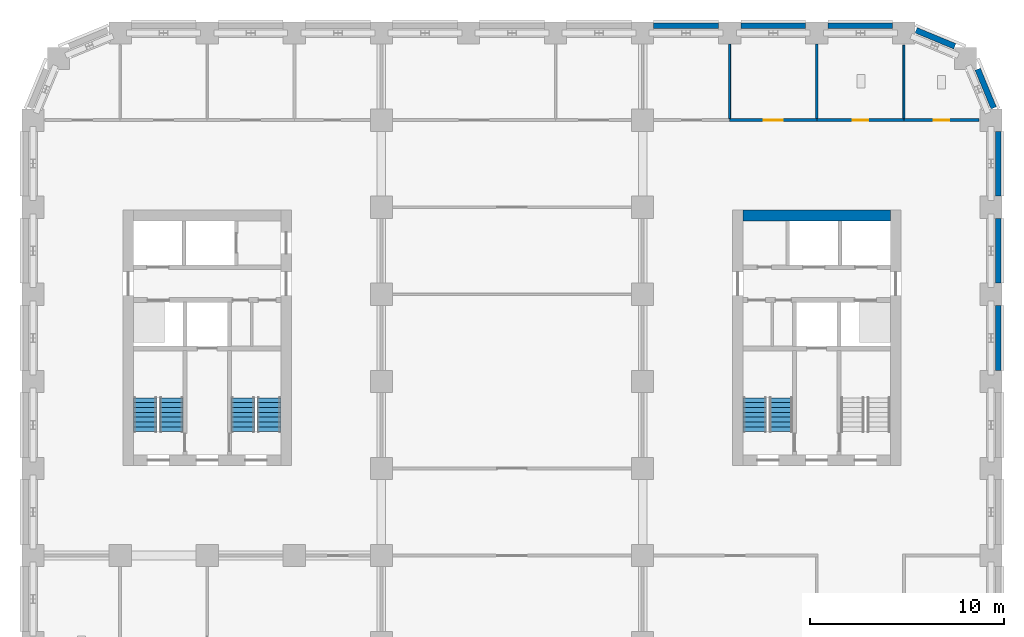
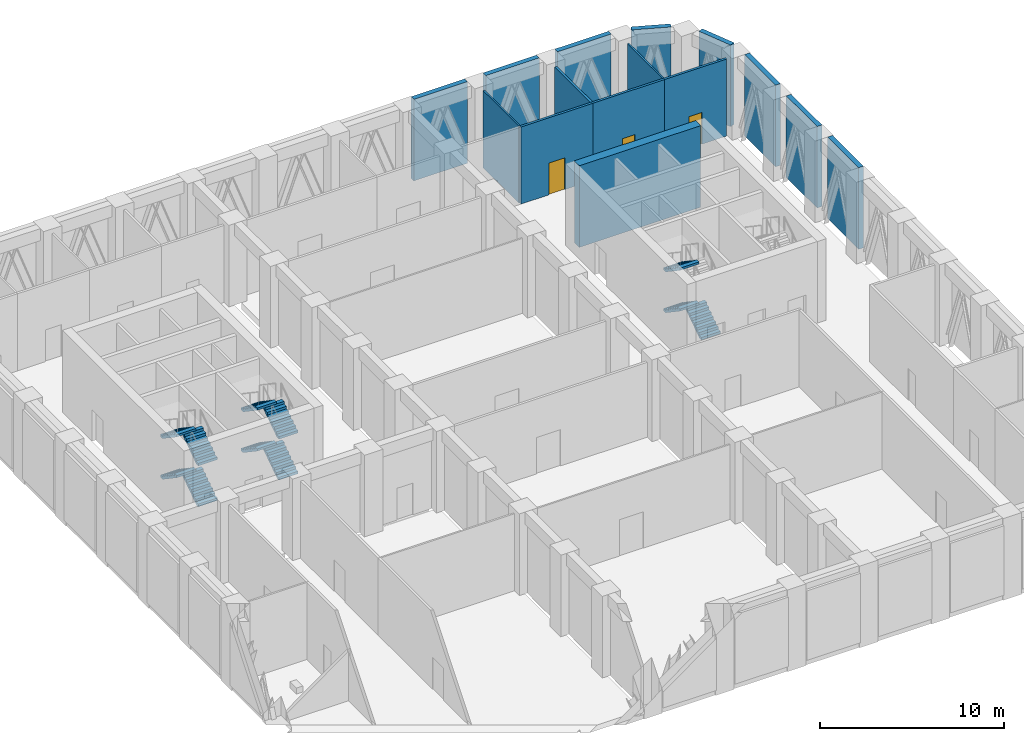
# One storey, part 6 of 11: 15 walls, 11 stair flights, 3 doors, 3 openings, 3 elements without a shape of their own.
"""IFC4 building model written with IfcOpenShell, lengths in metres."""

from ifc_helpers import new_model, si_unit, direction, frame, frame_2d, origin, place, context, subcontext, project, spatial, polyline, rectangle, outline, extrude, material, layer, layer_set, type_object, element, fill, aggregate, save


model = new_model("IFC4")

# Units and contexts
model_context = context("Model", 3, precision=1e-05, world=origin(), true_north=direction((0.0, 1.0)))
body_context = subcontext(model_context, "Body", "Model", "MODEL_VIEW")
ifc_project = project(units=[si_unit("LENGTHUNIT", "METRE"), si_unit("AREAUNIT", "SQUARE_METRE"), si_unit("VOLUMEUNIT", "CUBIC_METRE"), si_unit("PLANEANGLEUNIT", "RADIAN"), si_unit("MASSUNIT", "GRAM", prefix="KILO")], contexts=[model_context])

# Site, building, storey
site_placement = place(None, origin())
site = spatial("IfcSite", under=ifc_project, at=site_placement, CompositionType="ELEMENT")
building_placement = place(site_placement, origin())
building = spatial("IfcBuilding", under=site, at=building_placement, Name="Girih Gate Residences", CompositionType="ELEMENT")
storey_placement = place(building_placement, frame((0.0, 0.0, 124.800048828125)))
storey = spatial("IfcBuildingStorey", under=building, at=storey_placement, Name="L35", CompositionType="ELEMENT", Elevation=124.800048828125)

# Wall, opening, door
ifc_material_1 = material(Name="Gypsum board on steel studs", Category="steel")
ifc_layer_1 = layer(ifc_material_1, 0.14990234375)
ifc_layer_set_1 = layer_set([ifc_layer_1], Name="Compartment wall 150 mm")
wall_type_1 = type_object("IfcWallType", Name="Compartment wall 150 mm", PredefinedType="PARTITIONING", material=ifc_layer_set_1)
wall_1_placement = place(storey_placement, frame((45.0, 45.0, 0.0), z_axis=(0.0, 0.0, 1.0), x_axis=(1.0, 0.0, 0.0)))
wall_1 = element("IfcWall", 1, at=wall_1_placement, inside=storey, type_object=wall_type_1, Name="L35 partition", PredefinedType="PARTITIONING", context=body_context, shape_type="SweptSolid", body=[
    extrude(rectangle(XDim=3.877685546875, YDim=0.14990234375, at=frame_2d((1.93896484375, 0.0))), origin(), (0.0, 0.0, 1.0), 5.099853515625),
])
opening_1_placement = place(wall_1_placement, frame((1.538818359375, 0.0, 0.0)))
opening_1 = element("IfcOpeningElement", 2, at=opening_1_placement, cuts=wall_1, Name="Opening D-L35-S-008", PredefinedType="OPENING", context=body_context, shape_type="SweptSolid", body=[
    extrude(rectangle(XDim=0.800048828125, YDim=2.10009765625, at=frame_2d((0.39990234375, 1.050048828125))), frame((0.0, 0.0849609375, 0.0), z_axis=(0.0, -1.0, 0.0), x_axis=(1.0, 0.0, 0.0)), (0.0, 0.0, 1.0), 0.169921875),
])
ifc_material_2 = material(Name="Timber", Category="wood")
door_type_1 = type_object("IfcDoorType", Name="WC and store door 800x2100", OperationType="SINGLE_SWING_LEFT", PredefinedType="DOOR", material=ifc_material_2)
door_1_placement = place(opening_1_placement, origin())
door_1 = element("IfcDoor", 3, at=door_1_placement, inside=storey, type_object=door_type_1, Name="Door L35-008", OperationType="SINGLE_SWING_RIGHT", OverallHeight=2.10009765625, OverallWidth=0.800048828125, PredefinedType="DOOR", context=body_context, shape_type="SweptSolid", body=[
    extrude(rectangle(XDim=0.800048828125, YDim=2.10009765625, at=frame_2d((0.39990234375, 1.050048828125))), frame((0.0, 0.02490234375, 0.0), z_axis=(0.0, -1.0, 0.0), x_axis=(1.0, 0.0, 0.0)), (0.0, 0.0, 1.0), 0.050048828125),
])
fill(opening_1, door_1)

# Wall
wall_2_placement = place(storey_placement, frame((40.5, 45.074951171875, 0.0), z_axis=(0.0, 0.0, 1.0), x_axis=(0.0, 1.0, 0.0)))
element("IfcWall", 4, at=wall_2_placement, inside=storey, type_object=wall_type_1, Name="L35 partition", PredefinedType="PARTITIONING", context=body_context, shape_type="SweptSolid", body=[
    extrude(rectangle(XDim=3.85009765625, YDim=0.14990234375, at=frame_2d((1.925048828125, 0.0))), origin(), (0.0, 0.0, 1.0), 5.099853515625),
])

# Wall, opening, door
wall_3_placement = place(storey_placement, frame((40.5, 45.0, 0.0), z_axis=(0.0, 0.0, 1.0), x_axis=(1.0, 0.0, 0.0)))
wall_3 = element("IfcWall", 5, at=wall_3_placement, inside=storey, type_object=wall_type_1, Name="L35 partition", PredefinedType="PARTITIONING", context=body_context, shape_type="SweptSolid", body=[
    extrude(rectangle(XDim=4.5, YDim=0.14990234375, at=frame_2d((2.25, 0.0))), origin(), (0.0, 0.0, 1.0), 5.099853515625),
])
opening_2_placement = place(wall_3_placement, frame((1.85009765625, 0.0, 0.0)))
opening_2 = element("IfcOpeningElement", 6, at=opening_2_placement, cuts=wall_3, Name="Opening D-L35-S-009", PredefinedType="OPENING", context=body_context, shape_type="SweptSolid", body=[
    extrude(rectangle(XDim=0.800048828125, YDim=2.10009765625, at=frame_2d((0.39990234375, 1.050048828125))), frame((0.0, 0.0849609375, 0.0), z_axis=(0.0, -1.0, 0.0), x_axis=(1.0, 0.0, 0.0)), (0.0, 0.0, 1.0), 0.169921875),
])
door_2_placement = place(opening_2_placement, origin())
door_2 = element("IfcDoor", 7, at=door_2_placement, inside=storey, type_object=door_type_1, Name="Door L35-009", OperationType="SINGLE_SWING_RIGHT", OverallHeight=2.10009765625, OverallWidth=0.800048828125, PredefinedType="DOOR", context=body_context, shape_type="SweptSolid", body=[
    extrude(rectangle(XDim=0.800048828125, YDim=2.10009765625, at=frame_2d((0.39990234375, 1.050048828125))), frame((0.0, 0.02490234375, 0.0), z_axis=(0.0, -1.0, 0.0), x_axis=(1.0, 0.0, 0.0)), (0.0, 0.0, 1.0), 0.050048828125),
])
fill(opening_2, door_2)

wall_4_placement = place(storey_placement, frame((36.0, 45.0, 0.0), z_axis=(0.0, 0.0, 1.0), x_axis=(1.0, 0.0, 0.0)))
wall_4 = element("IfcWall", 8, at=wall_4_placement, inside=storey, type_object=wall_type_1, Name="L35 partition", PredefinedType="PARTITIONING", context=body_context, shape_type="SweptSolid", body=[
    extrude(rectangle(XDim=4.5, YDim=0.14990234375, at=frame_2d((2.25, 0.0))), origin(), (0.0, 0.0, 1.0), 5.099853515625),
])
opening_3_placement = place(wall_4_placement, frame((1.75, 0.0, 0.0)))
opening_3 = element("IfcOpeningElement", 9, at=opening_3_placement, cuts=wall_4, Name="Opening D-L35-S-010", PredefinedType="OPENING", context=body_context, shape_type="SweptSolid", body=[
    extrude(rectangle(XDim=1.0, YDim=2.10009765625, at=frame_2d((0.5, 1.050048828125))), frame((0.0, 0.0849609375, 0.0), z_axis=(0.0, -1.0, 0.0), x_axis=(1.0, 0.0, 0.0)), (0.0, 0.0, 1.0), 0.169921875),
])
ifc_material_3 = material(Name="Painted steel, fire-resisting", Category="steel")
door_type_2 = type_object("IfcDoorType", Name="Plant room door 1000x2100 FD60", OperationType="SINGLE_SWING_LEFT", PredefinedType="DOOR", material=ifc_material_3)
door_3_placement = place(opening_3_placement, origin())
door_3 = element("IfcDoor", 10, at=door_3_placement, inside=storey, type_object=door_type_2, Name="Door L35-010", OperationType="SINGLE_SWING_RIGHT", OverallHeight=2.10009765625, OverallWidth=1.0, PredefinedType="DOOR", context=body_context, shape_type="SweptSolid", body=[
    extrude(rectangle(XDim=1.0, YDim=2.10009765625, at=frame_2d((0.5, 1.050048828125))), frame((0.0, 0.02490234375, 0.0), z_axis=(0.0, -1.0, 0.0), x_axis=(1.0, 0.0, 0.0)), (0.0, 0.0, 1.0), 0.050048828125),
])
fill(opening_3, door_3)

# Walls
ifc_material_4 = material(Name="Concrete C60/75", Category="concrete")
ifc_layer_2 = layer(ifc_material_4, 0.550048828125)
ifc_layer_set_2 = layer_set([ifc_layer_2], Name="Core wall RC 550 Concrete C60/75")
wall_type_2 = type_object("IfcWallType", Name="Core wall RC 550 Concrete C60/75", PredefinedType="SOLIDWALL", material=ifc_layer_set_2)
wall_5_placement = place(storey_placement, frame((36.699951171875, 40.074951171875, 0.0), z_axis=(0.0, 0.0, 1.0), x_axis=(1.0, 0.0, 0.0)))
element("IfcWall", 11, at=wall_5_placement, inside=storey, type_object=wall_type_2, Name="Core wall E-N L35", PredefinedType="SOLIDWALL", context=body_context, shape_type="SweptSolid", body=[
    extrude(rectangle(XDim=7.60009765625, YDim=0.550048828125, at=frame_2d((3.800048828125, 0.0))), origin(), (0.0, 0.0, 1.0), 5.39990234375),
])
ifc_layer_3 = layer(ifc_material_1, 0.10009765625)
ifc_layer_set_3 = layer_set([ifc_layer_3], Name="Partition 100 mm")
wall_type_3 = type_object("IfcWallType", Name="Partition 100 mm", PredefinedType="PARTITIONING", material=ifc_layer_set_3)
wall_6_placement = place(storey_placement, frame((45.0, 45.074951171875, 0.0), z_axis=(0.0, 0.0, 1.0), x_axis=(0.0, 1.0, 0.0)))
element("IfcWall", 12, at=wall_6_placement, inside=storey, type_object=wall_type_3, Name="L35 partition", PredefinedType="PARTITIONING", context=body_context, shape_type="SweptSolid", body=[
    extrude(rectangle(XDim=3.802734375, YDim=0.10009765625, at=frame_2d((1.9013671875, 0.0))), origin(), (0.0, 0.0, 1.0), 5.099853515625),
])
wall_7_placement = place(storey_placement, frame((36.0, 45.074951171875, 0.0), z_axis=(0.0, 0.0, 1.0), x_axis=(0.0, 1.0, 0.0)))
element("IfcWall", 13, at=wall_7_placement, inside=storey, type_object=wall_type_3, Name="L35 partition", PredefinedType="PARTITIONING", context=body_context, shape_type="SweptSolid", body=[
    extrude(rectangle(XDim=3.85009765625, YDim=0.10009765625, at=frame_2d((1.925048828125, 0.0))), origin(), (0.0, 0.0, 1.0), 5.099853515625),
])
ifc_material_5 = material(Name="Precast concrete C50/60", Category="concrete")
ifc_layer_4 = layer(ifc_material_5, 0.080078125, Name="Outer leaf")
ifc_material_6 = material(Name="Rigid PIR insulation")
ifc_layer_5 = layer(ifc_material_6, 0.14990234375, Name="Insulation")
ifc_material_7 = material(Name="Precast concrete C40/50", Category="concrete")
ifc_layer_6 = layer(ifc_material_7, 0.070068359375, Name="Inner leaf")
ifc_layer_set_4 = layer_set([ifc_layer_4, ifc_layer_5, ifc_layer_6], Name="Precast concrete C50/60 external wall 300")
wall_type_4 = type_object("IfcWallType", Name="Precast concrete C50/60 external wall 300", PredefinedType="SOLIDWALL", material=ifc_layer_set_4)
for number, where, z_axis, x_axis, name in (
    (14, (49.875, 35.425048828125, 0.0), (0.0, 0.0, 1.0), (0.0, -1.0, 0.0), "External wall E0495_0045.6"),
    (15, (49.875, 39.925048828125, 0.0), (0.0, 0.0, 1.0), (0.0, -1.0, 0.0), "External wall E0495_0045.7"),
    (16, (49.875, 44.425048828125, 0.0), (0.0, 0.0, 1.0), (0.0, -1.0, 0.0), "External wall E0495_0045.8"),
):
    element("IfcWall", number, at=place(storey_placement, frame(where, z_axis=z_axis, x_axis=x_axis)), inside=storey, type_object=wall_type_4, Name=name, PredefinedType="SOLIDWALL", context=body_context, shape_type="SweptSolid", body=[
        extrude(rectangle(XDim=3.35009765625, YDim=0.300048828125, at=frame_2d((1.675048828125, 0.0))), origin(), (0.0, 0.0, 1.0), 5.39990234375),
    ])
for number, where, z_axis, x_axis, name in (
    (17, (48.81591796875, 47.63134765625, 0.0), (0.0, 0.0, 1.0), (0.382723818695, -0.923862802911, 0.0), "External wall NE0495_0450.0"),
    (18, (45.63232421875, 49.64404296875, 0.0), (0.0, 0.0, 1.0), (0.923862802911, -0.382723818695, 0.0), "External wall NE0482_0482.0"),
):
    element("IfcWall", number, at=place(storey_placement, frame(where, z_axis=z_axis, x_axis=x_axis)), inside=storey, type_object=wall_type_4, Name=name, PredefinedType="SOLIDWALL", context=body_context, shape_type="SweptSolid", body=[
        extrude(rectangle(XDim=2.163818359375, YDim=0.300048828125, at=frame_2d((1.08203125, 0.0))), origin(), (0.0, 0.0, 1.0), 5.39990234375),
    ])
for number, where, z_axis, x_axis, name in (
    (19, (41.074951171875, 49.875, 0.0), (0.0, 0.0, 1.0), (1.0, 0.0, 0.0), "External wall N0450_0495.0"),
    (20, (36.574951171875, 49.875, 0.0), (0.0, 0.0, 1.0), (1.0, 0.0, 0.0), "External wall N0450_0495.1"),
    (21, (32.074951171875, 49.875, 0.0), (0.0, 0.0, 1.0), (1.0, 0.0, 0.0), "External wall N0450_0495.2"),
):
    element("IfcWall", number, at=place(storey_placement, frame(where, z_axis=z_axis, x_axis=x_axis)), inside=storey, type_object=wall_type_4, Name=name, PredefinedType="SOLIDWALL", context=body_context, shape_type="SweptSolid", body=[
        extrude(rectangle(XDim=3.35009765625, YDim=0.300048828125, at=frame_2d((1.675048828125, 0.0))), origin(), (0.0, 0.0, 1.0), 5.39990234375),
    ])

# Stair, stair flights
ifc_material_8 = material(Name="Concrete C40/50", Category="concrete")
stair_type = type_object("IfcStairType", Name="Exit stair", PredefinedType="HALF_TURN_STAIR", material=ifc_material_8)
stair_1_placement = place(storey_placement, origin())
stair_1 = element("IfcStair", 22, at=stair_1_placement, inside=storey, type_object=stair_type, Name="L35 Exit Stair ST-W1", PredefinedType="HALF_TURN_STAIR")
stair_flight_type = type_object("IfcStairFlightType", Name="Stair flight 1200", PredefinedType="STRAIGHT", material=ifc_material_8)
stair_flight_1_placement = place(storey_placement, frame((7.14990234375, 28.89990234375, 0.0), z_axis=(0.0, 0.0, 1.0), x_axis=(0.0, 1.0, 0.0)))
stair_flight_1 = element("IfcStairFlight", 23, at=stair_flight_1_placement, type_object=stair_flight_type, Name="ST-W1 flight 1", NumberOfRisers=8, NumberOfTreads=7, PredefinedType="STRAIGHT", RiserHeight=0.16875, TreadLength=0.25, context=body_context, shape_type="SweptSolid", body=[
    extrude(outline(polyline([(0.0, 0.0), (0.0, 0.011962890625), (0.0, 0.024169921875), (0.0, 0.0361328125), (0.0, 0.048095703125), (0.0, 0.060302734375), (0.0, 0.072265625), (0.0, 0.08447265625), (0.0, 0.096435546875), (0.0, 0.1083984375), (0.0, 0.12060546875), (0.0, 0.132568359375), (0.0, 0.14453125), (0.0, 0.15673828125), (0.0, 0.168701171875), (0.25, 0.168701171875), (0.25, 0.33740234375), (0.5, 0.33740234375), (0.5, 0.50634765625), (0.75, 0.50634765625), (0.75, 0.675048828125), (1.0, 0.675048828125), (1.0, 0.84375), (1.25, 0.84375), (1.25, 1.012451171875), (1.5, 1.012451171875), (1.5, 1.18115234375), (1.75, 1.18115234375), (1.75, 1.193359375), (1.75, 1.205322265625), (1.75, 1.217529296875), (1.75, 1.2294921875), (1.75, 1.241455078125), (1.75, 1.253662109375), (1.75, 1.265625), (1.75, 1.277587890625), (1.75, 1.289794921875), (1.75, 1.3017578125), (1.75, 1.313720703125), (1.75, 1.325927734375), (1.75, 1.337890625), (1.75, 1.35009765625), (1.75, 1.32763671875), (1.75, 1.30517578125), (1.75, 1.28271484375), (1.75, 1.260498046875), (1.75, 1.238037109375), (1.75, 1.215576171875), (1.75, 1.193115234375), (1.75, 1.170654296875), (1.75, 1.1484375), (1.75, 1.1259765625), (1.75, 1.103515625), (1.75, 1.0810546875), (1.75, 1.058837890625), (1.75, 1.036376953125), (0.214599609375, 0.0), (0.0, 0.0)])), frame((0.0, 0.60009765625, 0.0), z_axis=(0.0, -1.0, 0.0), x_axis=(1.0, 0.0, 0.0)), (0.0, 0.0, 1.0), 1.199951171875),
])
stair_flight_2_placement = place(storey_placement, frame((5.800048828125, 30.64990234375, 1.349853515625), z_axis=(0.0, 0.0, 1.0), x_axis=(0.0, -1.0, 0.0)))
stair_flight_2 = element("IfcStairFlight", 24, at=stair_flight_2_placement, type_object=stair_flight_type, Name="ST-W1 flight 2", NumberOfRisers=8, NumberOfTreads=7, PredefinedType="STRAIGHT", RiserHeight=0.16875, TreadLength=0.25, context=body_context, shape_type="SweptSolid", body=[
    extrude(outline(polyline([(0.0, 0.0), (0.0, 0.011962890625), (0.0, 0.024169921875), (0.0, 0.0361328125), (0.0, 0.048095703125), (0.0, 0.060302734375), (0.0, 0.072265625), (0.0, 0.08447265625), (0.0, 0.096435546875), (0.0, 0.1083984375), (0.0, 0.12060546875), (0.0, 0.132568359375), (0.0, 0.14453125), (0.0, 0.15673828125), (0.0, 0.168701171875), (0.25, 0.168701171875), (0.25, 0.33740234375), (0.5, 0.33740234375), (0.5, 0.50634765625), (0.75, 0.50634765625), (0.75, 0.675048828125), (1.0, 0.675048828125), (1.0, 0.84375), (1.25, 0.84375), (1.25, 1.012451171875), (1.5, 1.012451171875), (1.5, 1.18115234375), (1.75, 1.18115234375), (1.75, 1.193359375), (1.75, 1.205322265625), (1.75, 1.217529296875), (1.75, 1.2294921875), (1.75, 1.241455078125), (1.75, 1.253662109375), (1.75, 1.265625), (1.75, 1.277587890625), (1.75, 1.289794921875), (1.75, 1.3017578125), (1.75, 1.313720703125), (1.75, 1.325927734375), (1.75, 1.337890625), (1.75, 1.35009765625), (1.75, 1.32763671875), (1.75, 1.30517578125), (1.75, 1.28271484375), (1.75, 1.260498046875), (1.75, 1.238037109375), (1.75, 1.215576171875), (1.75, 1.193115234375), (1.75, 1.170654296875), (1.75, 1.1484375), (1.75, 1.1259765625), (1.75, 1.103515625), (1.75, 1.0810546875), (1.75, 1.058837890625), (1.75, 1.036376953125), (0.214599609375, 0.0), (0.0, 0.0)])), frame((0.0, 0.60009765625, 0.0), z_axis=(0.0, -1.0, 0.0), x_axis=(1.0, 0.0, 0.0)), (0.0, 0.0, 1.0), 1.199951171875),
])
stair_flight_3_placement = place(storey_placement, frame((7.14990234375, 28.89990234375, 2.699951171875), z_axis=(0.0, 0.0, 1.0), x_axis=(0.0, 1.0, 0.0)))
stair_flight_3 = element("IfcStairFlight", 25, at=stair_flight_3_placement, type_object=stair_flight_type, Name="ST-W1 flight 3", NumberOfRisers=8, NumberOfTreads=7, PredefinedType="STRAIGHT", RiserHeight=0.16875, TreadLength=0.25, context=body_context, shape_type="SweptSolid", body=[
    extrude(outline(polyline([(0.0, 0.0), (0.0, 0.011962890625), (0.0, 0.024169921875), (0.0, 0.0361328125), (0.0, 0.048095703125), (0.0, 0.060302734375), (0.0, 0.072265625), (0.0, 0.08447265625), (0.0, 0.096435546875), (0.0, 0.1083984375), (0.0, 0.12060546875), (0.0, 0.132568359375), (0.0, 0.14453125), (0.0, 0.15673828125), (0.0, 0.168701171875), (0.25, 0.168701171875), (0.25, 0.33740234375), (0.5, 0.33740234375), (0.5, 0.50634765625), (0.75, 0.50634765625), (0.75, 0.675048828125), (1.0, 0.675048828125), (1.0, 0.84375), (1.25, 0.84375), (1.25, 1.012451171875), (1.5, 1.012451171875), (1.5, 1.18115234375), (1.75, 1.18115234375), (1.75, 1.193359375), (1.75, 1.205322265625), (1.75, 1.217529296875), (1.75, 1.2294921875), (1.75, 1.241455078125), (1.75, 1.253662109375), (1.75, 1.265625), (1.75, 1.277587890625), (1.75, 1.289794921875), (1.75, 1.3017578125), (1.75, 1.313720703125), (1.75, 1.325927734375), (1.75, 1.337890625), (1.75, 1.35009765625), (1.75, 1.32763671875), (1.75, 1.30517578125), (1.75, 1.28271484375), (1.75, 1.260498046875), (1.75, 1.238037109375), (1.75, 1.215576171875), (1.75, 1.193115234375), (1.75, 1.170654296875), (1.75, 1.1484375), (1.75, 1.1259765625), (1.75, 1.103515625), (1.75, 1.0810546875), (1.75, 1.058837890625), (1.75, 1.036376953125), (0.214599609375, 0.0), (0.0, 0.0)])), frame((0.0, 0.60009765625, 0.0), z_axis=(0.0, -1.0, 0.0), x_axis=(1.0, 0.0, 0.0)), (0.0, 0.0, 1.0), 1.199951171875),
])
stair_flight_4_placement = place(storey_placement, frame((5.800048828125, 30.64990234375, 4.050048828125), z_axis=(0.0, 0.0, 1.0), x_axis=(0.0, -1.0, 0.0)))
stair_flight_4 = element("IfcStairFlight", 26, at=stair_flight_4_placement, type_object=stair_flight_type, Name="ST-W1 flight 4", NumberOfRisers=8, NumberOfTreads=7, PredefinedType="STRAIGHT", RiserHeight=0.16875, TreadLength=0.25, context=body_context, shape_type="SweptSolid", body=[
    extrude(outline(polyline([(0.0, 0.0), (0.0, 0.011962890625), (0.0, 0.024169921875), (0.0, 0.0361328125), (0.0, 0.048095703125), (0.0, 0.060302734375), (0.0, 0.072265625), (0.0, 0.08447265625), (0.0, 0.096435546875), (0.0, 0.1083984375), (0.0, 0.12060546875), (0.0, 0.132568359375), (0.0, 0.14453125), (0.0, 0.15673828125), (0.0, 0.168701171875), (0.25, 0.168701171875), (0.25, 0.33740234375), (0.5, 0.33740234375), (0.5, 0.50634765625), (0.75, 0.50634765625), (0.75, 0.675048828125), (1.0, 0.675048828125), (1.0, 0.84375), (1.25, 0.84375), (1.25, 1.012451171875), (1.5, 1.012451171875), (1.5, 1.18115234375), (1.75, 1.18115234375), (1.75, 1.193359375), (1.75, 1.205322265625), (1.75, 1.217529296875), (1.75, 1.2294921875), (1.75, 1.241455078125), (1.75, 1.253662109375), (1.75, 1.265625), (1.75, 1.277587890625), (1.75, 1.289794921875), (1.75, 1.3017578125), (1.75, 1.313720703125), (1.75, 1.325927734375), (1.75, 1.337890625), (1.75, 1.35009765625), (1.75, 1.32763671875), (1.75, 1.30517578125), (1.75, 1.28271484375), (1.75, 1.260498046875), (1.75, 1.238037109375), (1.75, 1.215576171875), (1.75, 1.193115234375), (1.75, 1.170654296875), (1.75, 1.1484375), (1.75, 1.1259765625), (1.75, 1.103515625), (1.75, 1.0810546875), (1.75, 1.058837890625), (1.75, 1.036376953125), (0.214599609375, 0.0), (0.0, 0.0)])), frame((0.0, 0.60009765625, 0.0), z_axis=(0.0, -1.0, 0.0), x_axis=(1.0, 0.0, 0.0)), (0.0, 0.0, 1.0), 1.199951171875),
])
aggregate(stair_1, [stair_flight_1, stair_flight_2, stair_flight_3, stair_flight_4])

stair_2_placement = place(storey_placement, origin())
stair_2 = element("IfcStair", 27, at=stair_2_placement, inside=storey, type_object=stair_type, Name="L35 Exit Stair ST-W2", PredefinedType="HALF_TURN_STAIR")
stair_flight_5_placement = place(storey_placement, frame((12.199951171875, 28.89990234375, 0.0), z_axis=(0.0, 0.0, 1.0), x_axis=(0.0, 1.0, 0.0)))
stair_flight_5 = element("IfcStairFlight", 28, at=stair_flight_5_placement, type_object=stair_flight_type, Name="ST-W2 flight 1", NumberOfRisers=8, NumberOfTreads=7, PredefinedType="STRAIGHT", RiserHeight=0.16875, TreadLength=0.25, context=body_context, shape_type="SweptSolid", body=[
    extrude(outline(polyline([(0.0, 0.0), (0.0, 0.011962890625), (0.0, 0.024169921875), (0.0, 0.0361328125), (0.0, 0.048095703125), (0.0, 0.060302734375), (0.0, 0.072265625), (0.0, 0.08447265625), (0.0, 0.096435546875), (0.0, 0.1083984375), (0.0, 0.12060546875), (0.0, 0.132568359375), (0.0, 0.14453125), (0.0, 0.15673828125), (0.0, 0.168701171875), (0.25, 0.168701171875), (0.25, 0.33740234375), (0.5, 0.33740234375), (0.5, 0.50634765625), (0.75, 0.50634765625), (0.75, 0.675048828125), (1.0, 0.675048828125), (1.0, 0.84375), (1.25, 0.84375), (1.25, 1.012451171875), (1.5, 1.012451171875), (1.5, 1.18115234375), (1.75, 1.18115234375), (1.75, 1.193359375), (1.75, 1.205322265625), (1.75, 1.217529296875), (1.75, 1.2294921875), (1.75, 1.241455078125), (1.75, 1.253662109375), (1.75, 1.265625), (1.75, 1.277587890625), (1.75, 1.289794921875), (1.75, 1.3017578125), (1.75, 1.313720703125), (1.75, 1.325927734375), (1.75, 1.337890625), (1.75, 1.35009765625), (1.75, 1.32763671875), (1.75, 1.30517578125), (1.75, 1.28271484375), (1.75, 1.260498046875), (1.75, 1.238037109375), (1.75, 1.215576171875), (1.75, 1.193115234375), (1.75, 1.170654296875), (1.75, 1.1484375), (1.75, 1.1259765625), (1.75, 1.103515625), (1.75, 1.0810546875), (1.75, 1.058837890625), (1.75, 1.036376953125), (0.214599609375, 0.0), (0.0, 0.0)])), frame((0.0, 0.60009765625, 0.0), z_axis=(0.0, -1.0, 0.0), x_axis=(1.0, 0.0, 0.0)), (0.0, 0.0, 1.0), 1.199951171875),
])
stair_flight_6_placement = place(storey_placement, frame((10.85009765625, 30.64990234375, 1.349853515625), z_axis=(0.0, 0.0, 1.0), x_axis=(0.0, -1.0, 0.0)))
stair_flight_6 = element("IfcStairFlight", 29, at=stair_flight_6_placement, type_object=stair_flight_type, Name="ST-W2 flight 2", NumberOfRisers=8, NumberOfTreads=7, PredefinedType="STRAIGHT", RiserHeight=0.16875, TreadLength=0.25, context=body_context, shape_type="SweptSolid", body=[
    extrude(outline(polyline([(0.0, 0.0), (0.0, 0.011962890625), (0.0, 0.024169921875), (0.0, 0.0361328125), (0.0, 0.048095703125), (0.0, 0.060302734375), (0.0, 0.072265625), (0.0, 0.08447265625), (0.0, 0.096435546875), (0.0, 0.1083984375), (0.0, 0.12060546875), (0.0, 0.132568359375), (0.0, 0.14453125), (0.0, 0.15673828125), (0.0, 0.168701171875), (0.25, 0.168701171875), (0.25, 0.33740234375), (0.5, 0.33740234375), (0.5, 0.50634765625), (0.75, 0.50634765625), (0.75, 0.675048828125), (1.0, 0.675048828125), (1.0, 0.84375), (1.25, 0.84375), (1.25, 1.012451171875), (1.5, 1.012451171875), (1.5, 1.18115234375), (1.75, 1.18115234375), (1.75, 1.193359375), (1.75, 1.205322265625), (1.75, 1.217529296875), (1.75, 1.2294921875), (1.75, 1.241455078125), (1.75, 1.253662109375), (1.75, 1.265625), (1.75, 1.277587890625), (1.75, 1.289794921875), (1.75, 1.3017578125), (1.75, 1.313720703125), (1.75, 1.325927734375), (1.75, 1.337890625), (1.75, 1.35009765625), (1.75, 1.32763671875), (1.75, 1.30517578125), (1.75, 1.28271484375), (1.75, 1.260498046875), (1.75, 1.238037109375), (1.75, 1.215576171875), (1.75, 1.193115234375), (1.75, 1.170654296875), (1.75, 1.1484375), (1.75, 1.1259765625), (1.75, 1.103515625), (1.75, 1.0810546875), (1.75, 1.058837890625), (1.75, 1.036376953125), (0.214599609375, 0.0), (0.0, 0.0)])), frame((0.0, 0.60009765625, 0.0), z_axis=(0.0, -1.0, 0.0), x_axis=(1.0, 0.0, 0.0)), (0.0, 0.0, 1.0), 1.199951171875),
])
stair_flight_7_placement = place(storey_placement, frame((12.199951171875, 28.89990234375, 2.699951171875), z_axis=(0.0, 0.0, 1.0), x_axis=(0.0, 1.0, 0.0)))
stair_flight_7 = element("IfcStairFlight", 30, at=stair_flight_7_placement, type_object=stair_flight_type, Name="ST-W2 flight 3", NumberOfRisers=8, NumberOfTreads=7, PredefinedType="STRAIGHT", RiserHeight=0.16875, TreadLength=0.25, context=body_context, shape_type="SweptSolid", body=[
    extrude(outline(polyline([(0.0, 0.0), (0.0, 0.011962890625), (0.0, 0.024169921875), (0.0, 0.0361328125), (0.0, 0.048095703125), (0.0, 0.060302734375), (0.0, 0.072265625), (0.0, 0.08447265625), (0.0, 0.096435546875), (0.0, 0.1083984375), (0.0, 0.12060546875), (0.0, 0.132568359375), (0.0, 0.14453125), (0.0, 0.15673828125), (0.0, 0.168701171875), (0.25, 0.168701171875), (0.25, 0.33740234375), (0.5, 0.33740234375), (0.5, 0.50634765625), (0.75, 0.50634765625), (0.75, 0.675048828125), (1.0, 0.675048828125), (1.0, 0.84375), (1.25, 0.84375), (1.25, 1.012451171875), (1.5, 1.012451171875), (1.5, 1.18115234375), (1.75, 1.18115234375), (1.75, 1.193359375), (1.75, 1.205322265625), (1.75, 1.217529296875), (1.75, 1.2294921875), (1.75, 1.241455078125), (1.75, 1.253662109375), (1.75, 1.265625), (1.75, 1.277587890625), (1.75, 1.289794921875), (1.75, 1.3017578125), (1.75, 1.313720703125), (1.75, 1.325927734375), (1.75, 1.337890625), (1.75, 1.35009765625), (1.75, 1.32763671875), (1.75, 1.30517578125), (1.75, 1.28271484375), (1.75, 1.260498046875), (1.75, 1.238037109375), (1.75, 1.215576171875), (1.75, 1.193115234375), (1.75, 1.170654296875), (1.75, 1.1484375), (1.75, 1.1259765625), (1.75, 1.103515625), (1.75, 1.0810546875), (1.75, 1.058837890625), (1.75, 1.036376953125), (0.214599609375, 0.0), (0.0, 0.0)])), frame((0.0, 0.60009765625, 0.0), z_axis=(0.0, -1.0, 0.0), x_axis=(1.0, 0.0, 0.0)), (0.0, 0.0, 1.0), 1.199951171875),
])
stair_flight_8_placement = place(storey_placement, frame((10.85009765625, 30.64990234375, 4.050048828125), z_axis=(0.0, 0.0, 1.0), x_axis=(0.0, -1.0, 0.0)))
stair_flight_8 = element("IfcStairFlight", 31, at=stair_flight_8_placement, type_object=stair_flight_type, Name="ST-W2 flight 4", NumberOfRisers=8, NumberOfTreads=7, PredefinedType="STRAIGHT", RiserHeight=0.16875, TreadLength=0.25, context=body_context, shape_type="SweptSolid", body=[
    extrude(outline(polyline([(0.0, 0.0), (0.0, 0.011962890625), (0.0, 0.024169921875), (0.0, 0.0361328125), (0.0, 0.048095703125), (0.0, 0.060302734375), (0.0, 0.072265625), (0.0, 0.08447265625), (0.0, 0.096435546875), (0.0, 0.1083984375), (0.0, 0.12060546875), (0.0, 0.132568359375), (0.0, 0.14453125), (0.0, 0.15673828125), (0.0, 0.168701171875), (0.25, 0.168701171875), (0.25, 0.33740234375), (0.5, 0.33740234375), (0.5, 0.50634765625), (0.75, 0.50634765625), (0.75, 0.675048828125), (1.0, 0.675048828125), (1.0, 0.84375), (1.25, 0.84375), (1.25, 1.012451171875), (1.5, 1.012451171875), (1.5, 1.18115234375), (1.75, 1.18115234375), (1.75, 1.193359375), (1.75, 1.205322265625), (1.75, 1.217529296875), (1.75, 1.2294921875), (1.75, 1.241455078125), (1.75, 1.253662109375), (1.75, 1.265625), (1.75, 1.277587890625), (1.75, 1.289794921875), (1.75, 1.3017578125), (1.75, 1.313720703125), (1.75, 1.325927734375), (1.75, 1.337890625), (1.75, 1.35009765625), (1.75, 1.32763671875), (1.75, 1.30517578125), (1.75, 1.28271484375), (1.75, 1.260498046875), (1.75, 1.238037109375), (1.75, 1.215576171875), (1.75, 1.193115234375), (1.75, 1.170654296875), (1.75, 1.1484375), (1.75, 1.1259765625), (1.75, 1.103515625), (1.75, 1.0810546875), (1.75, 1.058837890625), (1.75, 1.036376953125), (0.214599609375, 0.0), (0.0, 0.0)])), frame((0.0, 0.60009765625, 0.0), z_axis=(0.0, -1.0, 0.0), x_axis=(1.0, 0.0, 0.0)), (0.0, 0.0, 1.0), 1.199951171875),
])
aggregate(stair_2, [stair_flight_5, stair_flight_6, stair_flight_7, stair_flight_8])

stair_3_placement = place(storey_placement, origin())
stair_3 = element("IfcStair", 32, at=stair_3_placement, inside=storey, type_object=stair_type, Name="L35 Exit Stair ST-E2", PredefinedType="HALF_TURN_STAIR")
stair_flight_9_placement = place(storey_placement, frame((38.64990234375, 28.89990234375, 0.0), z_axis=(0.0, 0.0, 1.0), x_axis=(0.0, 1.0, 0.0)))
stair_flight_9 = element("IfcStairFlight", 33, at=stair_flight_9_placement, type_object=stair_flight_type, Name="ST-E2 flight 1", NumberOfRisers=8, NumberOfTreads=7, PredefinedType="STRAIGHT", RiserHeight=0.16875, TreadLength=0.25, context=body_context, shape_type="SweptSolid", body=[
    extrude(outline(polyline([(0.0, 0.0), (0.0, 0.011962890625), (0.0, 0.024169921875), (0.0, 0.0361328125), (0.0, 0.048095703125), (0.0, 0.060302734375), (0.0, 0.072265625), (0.0, 0.08447265625), (0.0, 0.096435546875), (0.0, 0.1083984375), (0.0, 0.12060546875), (0.0, 0.132568359375), (0.0, 0.14453125), (0.0, 0.15673828125), (0.0, 0.168701171875), (0.25, 0.168701171875), (0.25, 0.33740234375), (0.5, 0.33740234375), (0.5, 0.50634765625), (0.75, 0.50634765625), (0.75, 0.675048828125), (1.0, 0.675048828125), (1.0, 0.84375), (1.25, 0.84375), (1.25, 1.012451171875), (1.5, 1.012451171875), (1.5, 1.18115234375), (1.75, 1.18115234375), (1.75, 1.193359375), (1.75, 1.205322265625), (1.75, 1.217529296875), (1.75, 1.2294921875), (1.75, 1.241455078125), (1.75, 1.253662109375), (1.75, 1.265625), (1.75, 1.277587890625), (1.75, 1.289794921875), (1.75, 1.3017578125), (1.75, 1.313720703125), (1.75, 1.325927734375), (1.75, 1.337890625), (1.75, 1.35009765625), (1.75, 1.32763671875), (1.75, 1.30517578125), (1.75, 1.28271484375), (1.75, 1.260498046875), (1.75, 1.238037109375), (1.75, 1.215576171875), (1.75, 1.193115234375), (1.75, 1.170654296875), (1.75, 1.1484375), (1.75, 1.1259765625), (1.75, 1.103515625), (1.75, 1.0810546875), (1.75, 1.058837890625), (1.75, 1.036376953125), (0.214599609375, 0.0), (0.0, 0.0)])), frame((0.0, 0.60009765625, 0.0), z_axis=(0.0, -1.0, 0.0), x_axis=(1.0, 0.0, 0.0)), (0.0, 0.0, 1.0), 1.199951171875),
])
stair_flight_10_placement = place(storey_placement, frame((37.300048828125, 30.64990234375, 1.349853515625), z_axis=(0.0, 0.0, 1.0), x_axis=(0.0, -1.0, 0.0)))
stair_flight_10 = element("IfcStairFlight", 34, at=stair_flight_10_placement, type_object=stair_flight_type, Name="ST-E2 flight 2", NumberOfRisers=8, NumberOfTreads=7, PredefinedType="STRAIGHT", RiserHeight=0.16875, TreadLength=0.25, context=body_context, shape_type="SweptSolid", body=[
    extrude(outline(polyline([(0.0, 0.0), (0.0, 0.011962890625), (0.0, 0.024169921875), (0.0, 0.0361328125), (0.0, 0.048095703125), (0.0, 0.060302734375), (0.0, 0.072265625), (0.0, 0.08447265625), (0.0, 0.096435546875), (0.0, 0.1083984375), (0.0, 0.12060546875), (0.0, 0.132568359375), (0.0, 0.14453125), (0.0, 0.15673828125), (0.0, 0.168701171875), (0.25, 0.168701171875), (0.25, 0.33740234375), (0.5, 0.33740234375), (0.5, 0.50634765625), (0.75, 0.50634765625), (0.75, 0.675048828125), (1.0, 0.675048828125), (1.0, 0.84375), (1.25, 0.84375), (1.25, 1.012451171875), (1.5, 1.012451171875), (1.5, 1.18115234375), (1.75, 1.18115234375), (1.75, 1.193359375), (1.75, 1.205322265625), (1.75, 1.217529296875), (1.75, 1.2294921875), (1.75, 1.241455078125), (1.75, 1.253662109375), (1.75, 1.265625), (1.75, 1.277587890625), (1.75, 1.289794921875), (1.75, 1.3017578125), (1.75, 1.313720703125), (1.75, 1.325927734375), (1.75, 1.337890625), (1.75, 1.35009765625), (1.75, 1.32763671875), (1.75, 1.30517578125), (1.75, 1.28271484375), (1.75, 1.260498046875), (1.75, 1.238037109375), (1.75, 1.215576171875), (1.75, 1.193115234375), (1.75, 1.170654296875), (1.75, 1.1484375), (1.75, 1.1259765625), (1.75, 1.103515625), (1.75, 1.0810546875), (1.75, 1.058837890625), (1.75, 1.036376953125), (0.214599609375, 0.0), (0.0, 0.0)])), frame((0.0, 0.60009765625, 0.0), z_axis=(0.0, -1.0, 0.0), x_axis=(1.0, 0.0, 0.0)), (0.0, 0.0, 1.0), 1.199951171875),
])
stair_flight_11_placement = place(storey_placement, frame((37.300048828125, 30.64990234375, 4.050048828125), z_axis=(0.0, 0.0, 1.0), x_axis=(0.0, -1.0, 0.0)))
stair_flight_11 = element("IfcStairFlight", 35, at=stair_flight_11_placement, type_object=stair_flight_type, Name="ST-E2 flight 4", NumberOfRisers=8, NumberOfTreads=7, PredefinedType="STRAIGHT", RiserHeight=0.16875, TreadLength=0.25, context=body_context, shape_type="SweptSolid", body=[
    extrude(outline(polyline([(0.0, 0.0), (0.0, 0.011962890625), (0.0, 0.024169921875), (0.0, 0.0361328125), (0.0, 0.048095703125), (0.0, 0.060302734375), (0.0, 0.072265625), (0.0, 0.08447265625), (0.0, 0.096435546875), (0.0, 0.1083984375), (0.0, 0.12060546875), (0.0, 0.132568359375), (0.0, 0.14453125), (0.0, 0.15673828125), (0.0, 0.168701171875), (0.25, 0.168701171875), (0.25, 0.33740234375), (0.5, 0.33740234375), (0.5, 0.50634765625), (0.75, 0.50634765625), (0.75, 0.675048828125), (1.0, 0.675048828125), (1.0, 0.84375), (1.25, 0.84375), (1.25, 1.012451171875), (1.5, 1.012451171875), (1.5, 1.18115234375), (1.75, 1.18115234375), (1.75, 1.193359375), (1.75, 1.205322265625), (1.75, 1.217529296875), (1.75, 1.2294921875), (1.75, 1.241455078125), (1.75, 1.253662109375), (1.75, 1.265625), (1.75, 1.277587890625), (1.75, 1.289794921875), (1.75, 1.3017578125), (1.75, 1.313720703125), (1.75, 1.325927734375), (1.75, 1.337890625), (1.75, 1.35009765625), (1.75, 1.32763671875), (1.75, 1.30517578125), (1.75, 1.28271484375), (1.75, 1.260498046875), (1.75, 1.238037109375), (1.75, 1.215576171875), (1.75, 1.193115234375), (1.75, 1.170654296875), (1.75, 1.1484375), (1.75, 1.1259765625), (1.75, 1.103515625), (1.75, 1.0810546875), (1.75, 1.058837890625), (1.75, 1.036376953125), (0.214599609375, 0.0), (0.0, 0.0)])), frame((0.0, 0.60009765625, 0.0), z_axis=(0.0, -1.0, 0.0), x_axis=(1.0, 0.0, 0.0)), (0.0, 0.0, 1.0), 1.199951171875),
])
aggregate(stair_3, [stair_flight_9, stair_flight_10, stair_flight_11])

save(model, "model.ifc")
